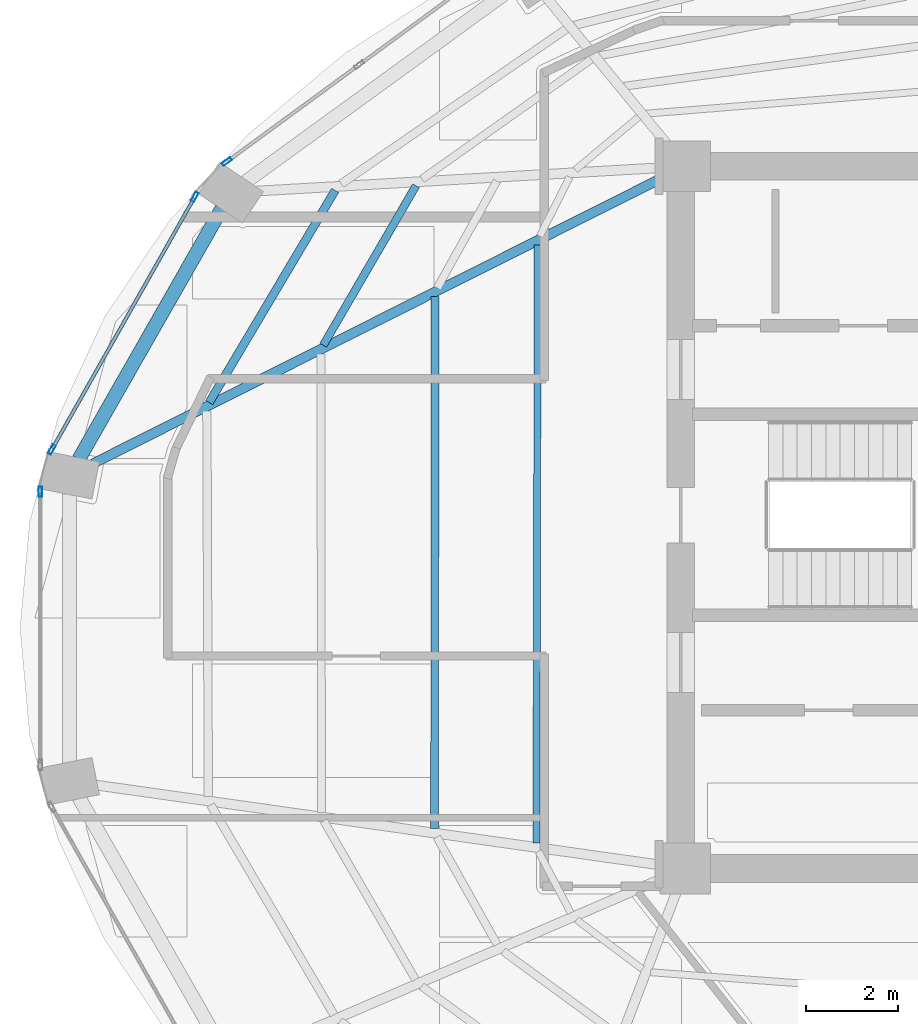
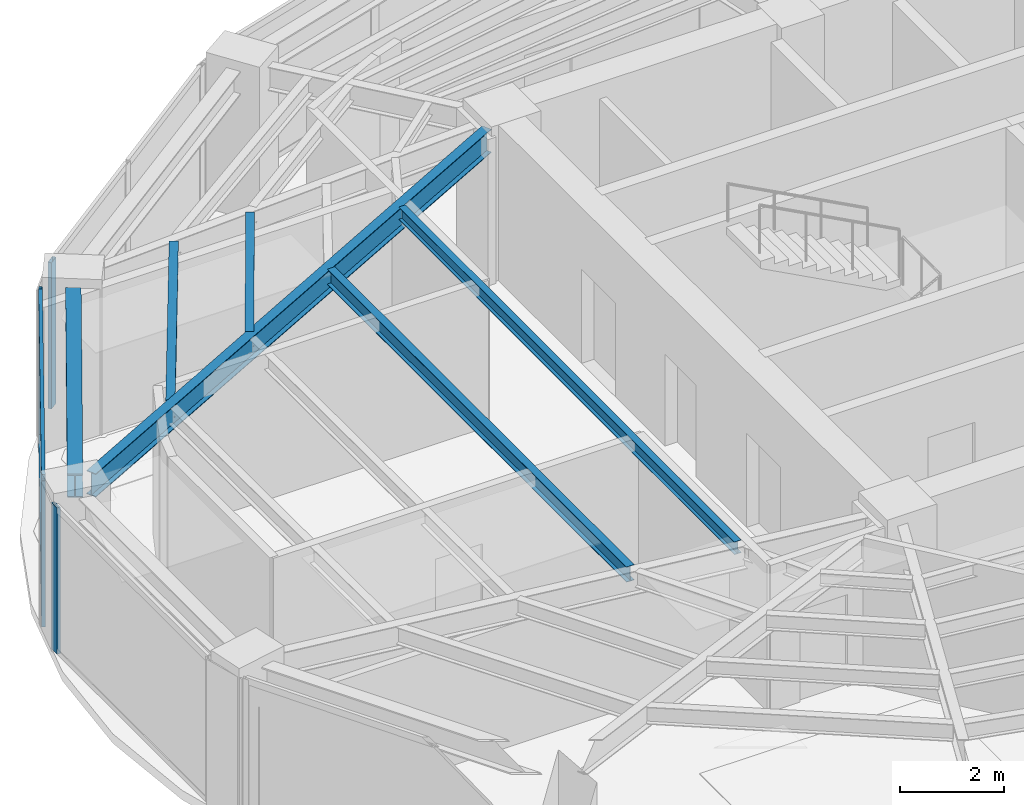
# One storey, part 6 of 20: 6 beams, 6 members, 3 elements without a shape of their own.
"""IFC4 building model written with IfcOpenShell, lengths in metres."""

from ifc_helpers import new_model, si_unit, direction, frame, origin, origin_2d, place, context, subcontext, project, spatial, hollow_rectangle, i_section, extrude, material, layer, layer_set, material_profile, profile_set, type_object, element, aggregate, save


model = new_model("IFC4")

# Units and contexts
model_context = context("Model", 3, precision=1e-05, world=origin(), true_north=direction((0.0, 1.0)))
body_context = subcontext(model_context, "Body", "Model", "MODEL_VIEW")
ifc_project = project(units=[si_unit("LENGTHUNIT", "METRE"), si_unit("AREAUNIT", "SQUARE_METRE"), si_unit("VOLUMEUNIT", "CUBIC_METRE"), si_unit("PLANEANGLEUNIT", "RADIAN"), si_unit("MASSUNIT", "GRAM", prefix="KILO")], contexts=[model_context])

# Site, building, storey
site_placement = place(None, origin())
site = spatial("IfcSite", under=ifc_project, at=site_placement, CompositionType="ELEMENT")
building_placement = place(site_placement, origin())
building = spatial("IfcBuilding", under=site, at=building_placement, Name="Lazwardi Medical Tower", CompositionType="ELEMENT")
storey_placement = place(building_placement, frame((0.0, 0.0, 152.8798828125)))
storey = spatial("IfcBuildingStorey", under=building, at=storey_placement, Name="L39", CompositionType="ELEMENT", Elevation=152.8798828125)

# Beams
ifc_material_1 = material(Name="Steel S355", Category="steel")
ifc_material_profile_1 = material_profile(ifc_material_1, i_section(OverallWidth=0.300048828125, OverallDepth=0.550048828125, WebThickness=0.014892578125, FlangeThickness=0.029052734375, at=origin_2d()), Name="HEB 550")
ifc_profile_set_1 = profile_set([ifc_material_profile_1], Name="Steel S355")
beam_type_1 = type_object("IfcBeamType", Name="BM-RB-Z3", PredefinedType="BEAM", material=ifc_profile_set_1)
beam_1_placement = place(storey_placement, frame((16.3662109375, 34.683349609375, 3.153076171875), z_axis=(-0.495477752551, -0.868620628771, 0.0), x_axis=(0.868620628771, -0.495477752551, 0.0)))
element("IfcBeam", 1, at=beam_1_placement, inside=storey, type_object=beam_type_1, Name="Ring beam RB-04 B11 L39", PredefinedType="BEAM", context=body_context, shape_type="SweptSolid", body=[
    extrude(i_section(OverallWidth=0.300048828125, OverallDepth=0.550048828125, WebThickness=0.014892578125, FlangeThickness=0.029052734375, at=origin_2d()), origin(), (0.0, 0.0, 1.0), 6.244384765625),
])
ifc_material_profile_2 = material_profile(ifc_material_1, i_section(OverallWidth=0.2099609375, OverallDepth=0.550048828125, WebThickness=0.010986328125, FlangeThickness=0.01708984375, at=origin_2d()), Name="IPE 550")
ifc_profile_set_2 = profile_set([ifc_material_profile_2], Name="Steel S355")
beam_type_2 = type_object("IfcBeamType", Name="BM-RG-W2", PredefinedType="BEAM", material=ifc_profile_set_2)
beam_2_placement = place(storey_placement, frame((13.57470703125, 29.162841796875, 3.153076171875), z_axis=(0.893740468624, 0.448584412061, 0.0), x_axis=(-0.448584412061, 0.893740468624, 0.0)))
element("IfcBeam", 2, at=beam_2_placement, inside=storey, type_object=beam_type_2, Name="Radial girder RG-03 R12 L39", PredefinedType="BEAM", context=body_context, shape_type="SweptSolid", body=[
    extrude(i_section(OverallWidth=0.2099609375, OverallDepth=0.550048828125, WebThickness=0.010986328125, FlangeThickness=0.01708984375, at=origin_2d()), origin(), (0.0, 0.0, 1.0), 13.815185546875),
])
ifc_material_profile_3 = material_profile(ifc_material_1, i_section(OverallWidth=0.179931640625, OverallDepth=0.39990234375, WebThickness=0.008544921875, FlangeThickness=0.013427734375, at=origin_2d()), Name="IPE 400")
ifc_profile_set_3 = profile_set([ifc_material_profile_3], Name="Steel S355")
beam_type_3 = type_object("IfcBeamType", Name="BM-SJ-01", PredefinedType="JOIST", material=ifc_profile_set_3)
beam_3_placement = place(storey_placement, frame((18.82080078125, 35.078369140625, 3.22802734375), z_axis=(-0.510569396963, -0.859836548935, 0.0), x_axis=(0.859836548935, -0.510569396963, 0.0)))
element("IfcBeam", 3, at=beam_3_placement, inside=storey, type_object=beam_type_3, Name="Secondary joist SJ-01 R1 B11 L39", PredefinedType="JOIST", context=body_context, shape_type="SweptSolid", body=[
    extrude(i_section(OverallWidth=0.179931640625, OverallDepth=0.39990234375, WebThickness=0.008544921875, FlangeThickness=0.013427734375, at=origin_2d()), origin(), (0.0, 0.0, 1.0), 5.33837890625),
])
ifc_material_profile_4 = material_profile(ifc_material_1, i_section(OverallWidth=0.169921875, OverallDepth=0.360107421875, WebThickness=0.008056640625, FlangeThickness=0.0126953125, at=origin_2d()), Name="IPE 360")
ifc_profile_set_4 = profile_set([ifc_material_profile_4], Name="Steel S355")
beam_type_4 = type_object("IfcBeamType", Name="BM-SJ-02", PredefinedType="JOIST", material=ifc_profile_set_4)
beam_4_placement = place(storey_placement, frame((20.5703125, 35.17919921875, 3.248046875), z_axis=(-0.502665102216, -0.864481228839, 0.0), x_axis=(0.864481228839, -0.502665102216, 0.0)))
element("IfcBeam", 4, at=beam_4_placement, inside=storey, type_object=beam_type_4, Name="Secondary joist SJ-02 R2 B11 L39", PredefinedType="JOIST", context=body_context, shape_type="SweptSolid", body=[
    extrude(i_section(OverallWidth=0.169921875, OverallDepth=0.360107421875, WebThickness=0.008056640625, FlangeThickness=0.0126953125, at=origin_2d()), origin(), (0.0, 0.0, 1.0), 3.991943359375),
])
beam_5_placement = place(storey_placement, frame((20.98291015625, 32.78125, 3.248046875), z_axis=(-0.000805852776, -0.999999675301, 0.0), x_axis=(0.999999675301, -0.000805852776, 0.0)))
element("IfcBeam", 5, at=beam_5_placement, inside=storey, type_object=beam_type_4, Name="Secondary joist SJ-02 R3 B12 L39", PredefinedType="JOIST", context=body_context, shape_type="SweptSolid", body=[
    extrude(i_section(OverallWidth=0.169921875, OverallDepth=0.360107421875, WebThickness=0.008056640625, FlangeThickness=0.0126953125, at=origin_2d()), origin(), (0.0, 0.0, 1.0), 11.512451171875),
])
ifc_material_profile_5 = material_profile(ifc_material_1, i_section(OverallWidth=0.14990234375, OverallDepth=0.300048828125, WebThickness=0.007080078125, FlangeThickness=0.0107421875, at=origin_2d()), Name="IPE 300")
ifc_profile_set_5 = profile_set([ifc_material_profile_5], Name="Steel S355")
beam_type_5 = type_object("IfcBeamType", Name="BM-SJ-03", PredefinedType="JOIST", material=ifc_profile_set_5)
beam_6_placement = place(storey_placement, frame((23.205078125, 33.896484375, 3.278076171875), z_axis=(-0.002150897838, -0.999997686817, 0.0), x_axis=(0.999997686817, -0.002150897838, 0.0)))
element("IfcBeam", 6, at=beam_6_placement, inside=storey, type_object=beam_type_5, Name="Secondary joist SJ-03 R4 B12 L39", PredefinedType="JOIST", context=body_context, shape_type="SweptSolid", body=[
    extrude(i_section(OverallWidth=0.14990234375, OverallDepth=0.300048828125, WebThickness=0.007080078125, FlangeThickness=0.0107421875, at=origin_2d()), origin(), (0.0, 0.0, 1.0), 12.939697265625),
])

# Curtain wall, member
ifc_material_2 = material(Name="Anodised bronze aluminium and solar control glazing", Category="aluminium")
ifc_layer = layer(ifc_material_2, 0.195068359375)
ifc_layer_set = layer_set([ifc_layer], Name="Anodised bronze aluminium and solar control glazing")
curtain_wall_type = type_object("IfcCurtainWallType", Name="CW-SYS-03", PredefinedType="NOTDEFINED", material=ifc_layer_set)
curtain_wall_1_placement = place(storey_placement, origin())
curtain_wall_1 = element("IfcCurtainWall", 7, at=curtain_wall_1_placement, inside=storey, type_object=curtain_wall_type, Name="L39 Unitised bronze curtain wall CW-03", PredefinedType="NOTDEFINED")
ifc_material_3 = material(Name="Anodised bronze aluminium", Category="aluminium")
ifc_material_profile_6 = material_profile(ifc_material_3, hollow_rectangle(XDim=0.074951171875, YDim=0.219970703125, WallThickness=0.00390625, at=origin_2d()), Name="ALU-MULLION 220x75x4")
ifc_profile_set_6 = profile_set([ifc_material_profile_6], Name="Anodised bronze aluminium")
member_type_1 = type_object("IfcMemberType", Name="CW-MUL-01", PredefinedType="MULLION", material=ifc_profile_set_6)
member_1_placement = place(storey_placement, frame((16.480224609375, 35.702880859375, 0.0), z_axis=(0.0, 0.0, 1.0), x_axis=(0.590833862635, -0.806793249082, 0.0)))
member_1 = element("IfcMember", 8, at=member_1_placement, type_object=member_type_1, Name="CW-03 mullion 3", PredefinedType="MULLION", context=body_context, shape_type="SweptSolid", body=[
    extrude(hollow_rectangle(XDim=0.074951171875, YDim=0.219970703125, WallThickness=0.00390625, at=origin_2d()), origin(), (0.0, 0.0, 1.0), 3.42822265625),
])
aggregate(curtain_wall_1, [member_1])

# Curtain wall, members
curtain_wall_2_placement = place(storey_placement, origin())
curtain_wall_2 = element("IfcCurtainWall", 9, at=curtain_wall_2_placement, inside=storey, type_object=curtain_wall_type, Name="L39 Unitised bronze curtain wall CW-03", PredefinedType="NOTDEFINED")
member_2_placement = place(storey_placement, frame((15.782470703125, 34.936767578125, 0.0), z_axis=(0.0, 0.0, 1.0), x_axis=(0.870418989303, -0.492311672683, 0.0)))
member_2 = element("IfcMember", 10, at=member_2_placement, type_object=member_type_1, Name="CW-03 mullion 1", PredefinedType="MULLION", context=body_context, shape_type="SweptSolid", body=[
    extrude(hollow_rectangle(XDim=0.074951171875, YDim=0.219970703125, WallThickness=0.00390625, at=origin_2d()), origin(), (0.0, 0.0, 1.0), 3.42822265625),
])
member_3_placement = place(storey_placement, frame((12.68896484375, 29.46728515625, 0.0), z_axis=(0.0, 0.0, 1.0), x_axis=(0.870418989303, -0.492311672683, 0.0)))
member_3 = element("IfcMember", 11, at=member_3_placement, type_object=member_type_1, Name="CW-03 mullion 2", PredefinedType="MULLION", context=body_context, shape_type="SweptSolid", body=[
    extrude(hollow_rectangle(XDim=0.074951171875, YDim=0.219970703125, WallThickness=0.00390625, at=origin_2d()), origin(), (0.0, 0.0, 1.0), 3.42822265625),
])

# Curtain wall, member
curtain_wall_3_placement = place(storey_placement, origin())
curtain_wall_3 = element("IfcCurtainWall", 12, at=curtain_wall_3_placement, inside=storey, type_object=curtain_wall_type, Name="L39 Unitised bronze curtain wall CW-03", PredefinedType="NOTDEFINED")
member_4_placement = place(storey_placement, frame((12.4423828125, 28.557861328125, 0.0), z_axis=(0.0, 0.0, 1.0), x_axis=(1.0, 0.0, 0.0)))
member_4 = element("IfcMember", 13, at=member_4_placement, type_object=member_type_1, Name="CW-03 mullion 1", PredefinedType="MULLION", context=body_context, shape_type="SweptSolid", body=[
    extrude(hollow_rectangle(XDim=0.074951171875, YDim=0.219970703125, WallThickness=0.00390625, at=origin_2d()), origin(), (0.0, 0.0, 1.0), 3.42822265625),
])
aggregate(curtain_wall_3, [member_4])

# Member
ifc_material_profile_7 = material_profile(ifc_material_3, hollow_rectangle(XDim=0.074951171875, YDim=0.159912109375, WallThickness=0.00390625, at=origin_2d()), Name="ALU-TRANSOM 160x75x4")
ifc_profile_set_7 = profile_set([ifc_material_profile_7], Name="Anodised bronze aluminium")
member_type_2 = type_object("IfcMemberType", Name="CW-TRN-01", PredefinedType="USERDEFINED", material=ifc_profile_set_7)
member_5_placement = place(storey_placement, frame((15.763916015625, 34.904052734375, 0.03759765625), z_axis=(-0.492322860598, -0.870412661289, 0.0), x_axis=(0.870412661289, -0.492322860598, 0.0)))
member_5 = element("IfcMember", 14, at=member_5_placement, type_object=member_type_2, Name="CW-03 transom 1.1", ObjectType="TRANSOM", PredefinedType="USERDEFINED", context=body_context, shape_type="SweptSolid", body=[
    extrude(hollow_rectangle(XDim=0.074951171875, YDim=0.159912109375, WallThickness=0.00390625, at=origin_2d()), origin(), (0.0, 0.0, 1.0), 6.20849609375),
])

member_6_placement = place(storey_placement, frame((15.763916015625, 34.904052734375, 3.390625), z_axis=(-0.492322860598, -0.870412661289, 0.0), x_axis=(0.870412661289, -0.492322860598, 0.0)))
member_6 = element("IfcMember", 15, at=member_6_placement, type_object=member_type_2, Name="CW-03 transom 1.2", ObjectType="TRANSOM", PredefinedType="USERDEFINED", context=body_context, shape_type="SweptSolid", body=[
    extrude(hollow_rectangle(XDim=0.074951171875, YDim=0.159912109375, WallThickness=0.00390625, at=origin_2d()), origin(), (0.0, 0.0, 1.0), 6.20849609375),
])

aggregate(curtain_wall_2, [member_2, member_3, member_5, member_6])

save(model, "model.ifc")
